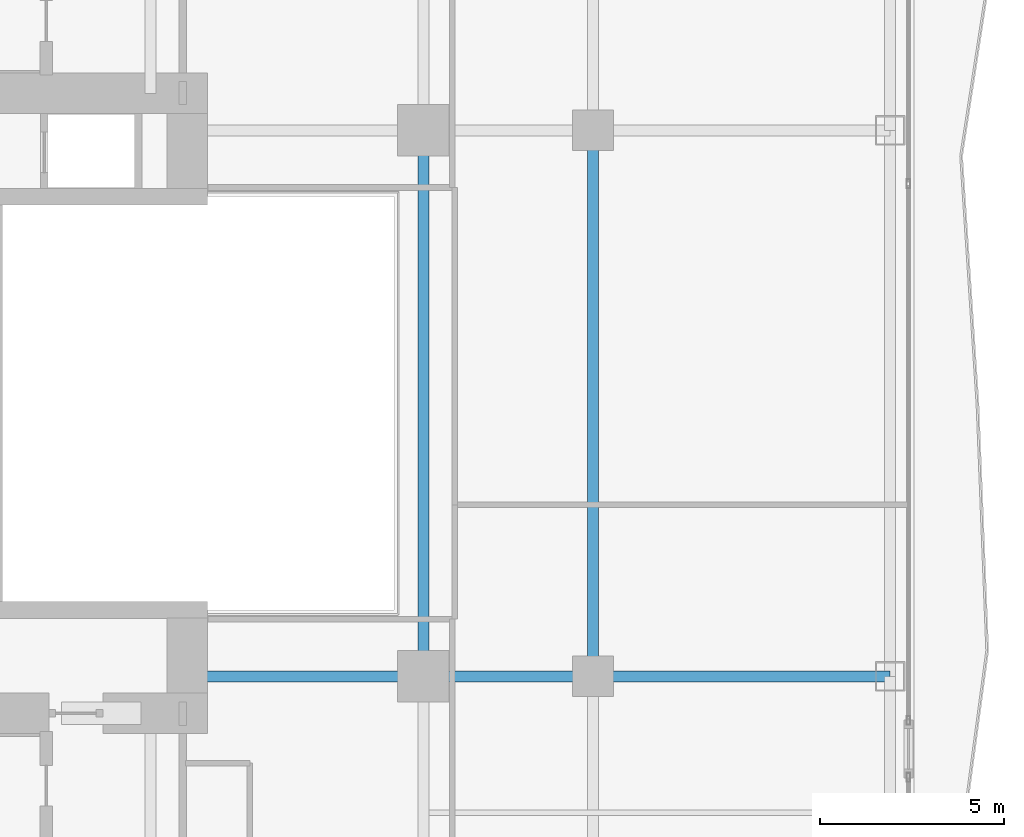
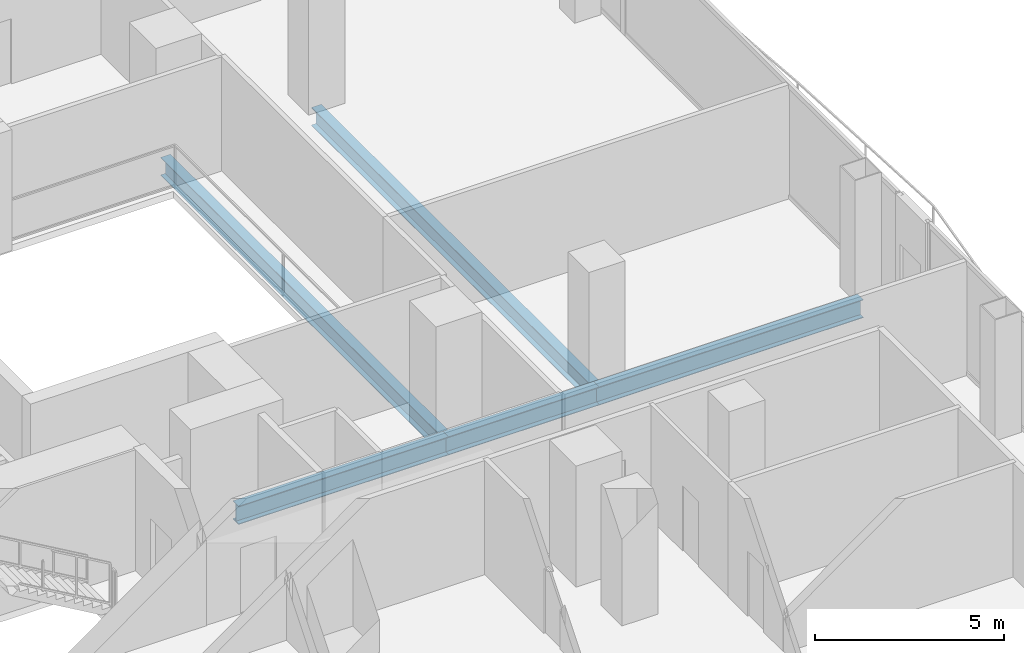
# One storey, part 11 of 27: 5 beams.
"""IFC4 building model written with IfcOpenShell, lengths in metres."""

from ifc_helpers import new_model, si_unit, direction, frame, origin, origin_2d, place, context, subcontext, project, spatial, i_section, extrude, material, material_profile, profile_set, type_object, element, save


model = new_model("IFC4")

# Units and contexts
model_context = context("Model", 3, precision=1e-05, world=origin(), true_north=direction((0.0, 1.0)))
body_context = subcontext(model_context, "Body", "Model", "MODEL_VIEW")
ifc_project = project(units=[si_unit("LENGTHUNIT", "METRE"), si_unit("AREAUNIT", "SQUARE_METRE"), si_unit("VOLUMEUNIT", "CUBIC_METRE"), si_unit("PLANEANGLEUNIT", "RADIAN"), si_unit("MASSUNIT", "GRAM", prefix="KILO")], contexts=[model_context])

# Site, building, storey
site_placement = place(None, origin())
site = spatial("IfcSite", under=ifc_project, at=site_placement, CompositionType="ELEMENT")
building_placement = place(site_placement, origin())
building = spatial("IfcBuilding", under=site, at=building_placement, Name="Khorvyn Point Tower", CompositionType="ELEMENT")
storey_placement = place(building_placement, frame((0.0, 0.0, 42.300048828125)))
storey = spatial("IfcBuildingStorey", under=building, at=storey_placement, Name="L11", CompositionType="ELEMENT", Elevation=42.300048828125)

# Beams
ifc_material = material(Name="Steel S355", Category="steel")
ifc_material_profile = material_profile(ifc_material, i_section(OverallWidth=0.300048828125, OverallDepth=0.587890625, WebThickness=0.011962890625, FlangeThickness=0.02001953125, at=origin_2d()))
ifc_profile_set = profile_set([ifc_material_profile], Name="Steel S355 H588x300x12x20")
beam_type = type_object("IfcBeamType", Name="Steel S355 Beam H588x300x12x20", PredefinedType="BEAM", material=ifc_profile_set)
beam_1_placement = place(storey_placement, frame((8.39990234375, -7.39990234375, -0.51416015625), z_axis=(1.0, 0.0, 0.0), x_axis=(0.0, 1.0, 0.0)))
element("IfcBeam", 1, at=beam_1_placement, inside=storey, type_object=beam_type, Name="Beam", PredefinedType="BEAM", context=body_context, shape_type="SweptSolid", body=[
    extrude(i_section(OverallWidth=0.300048828125, OverallDepth=0.587890625, WebThickness=0.011962890625, FlangeThickness=0.02001953125, at=origin_2d()), origin(), (0.0, 0.0, 1.0), 6.400146484375),
])
beam_2_placement = place(storey_placement, frame((14.800048828125, -7.39990234375, -0.51416015625), z_axis=(1.0, 0.0, 0.0), x_axis=(0.0, 1.0, 0.0)))
element("IfcBeam", 2, at=beam_2_placement, inside=storey, type_object=beam_type, Name="Beam", PredefinedType="BEAM", context=body_context, shape_type="SweptSolid", body=[
    extrude(i_section(OverallWidth=0.300048828125, OverallDepth=0.587890625, WebThickness=0.011962890625, FlangeThickness=0.02001953125, at=origin_2d()), origin(), (0.0, 0.0, 1.0), 4.599853515625),
])
beam_3_placement = place(storey_placement, frame((19.39990234375, -7.39990234375, -0.51416015625), z_axis=(1.0, 0.0, 0.0), x_axis=(0.0, 1.0, 0.0)))
element("IfcBeam", 3, at=beam_3_placement, inside=storey, type_object=beam_type, Name="Beam", PredefinedType="BEAM", context=body_context, shape_type="SweptSolid", body=[
    extrude(i_section(OverallWidth=0.300048828125, OverallDepth=0.587890625, WebThickness=0.011962890625, FlangeThickness=0.02001953125, at=origin_2d()), origin(), (0.0, 0.0, 1.0), 8.050048828125),
])
for number, where, z_axis, x_axis, name in (
    (4, (14.800048828125, -7.39990234375, -0.51416015625), (0.0, 1.0, 0.0), (-1.0, 0.0, 0.0), "Beam"),
    (5, (19.39990234375, -7.39990234375, -0.51416015625), (0.0, 1.0, 0.0), (-1.0, 0.0, 0.0), "Beam"),
):
    element("IfcBeam", number, at=place(storey_placement, frame(where, z_axis=z_axis, x_axis=x_axis)), inside=storey, type_object=beam_type, Name=name, PredefinedType="BEAM", context=body_context, shape_type="SweptSolid", body=[
        extrude(i_section(OverallWidth=0.300048828125, OverallDepth=0.587890625, WebThickness=0.011962890625, FlangeThickness=0.02001953125, at=origin_2d()), origin(), (0.0, 0.0, 1.0), 14.7998046875),
    ])

save(model, "model.ifc")
